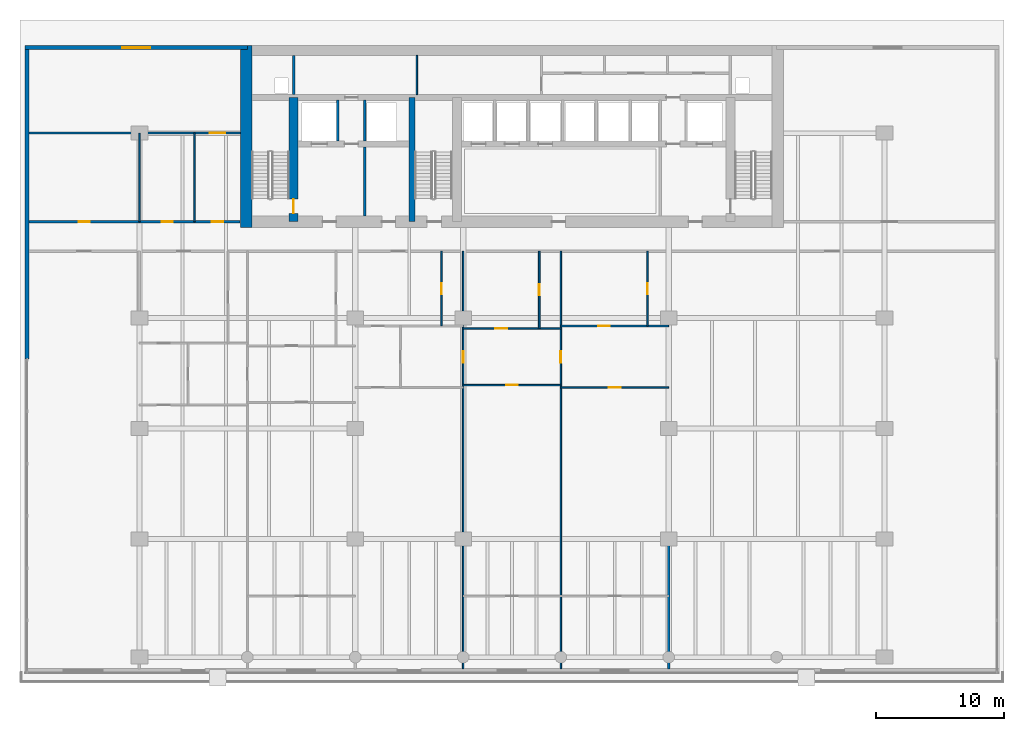
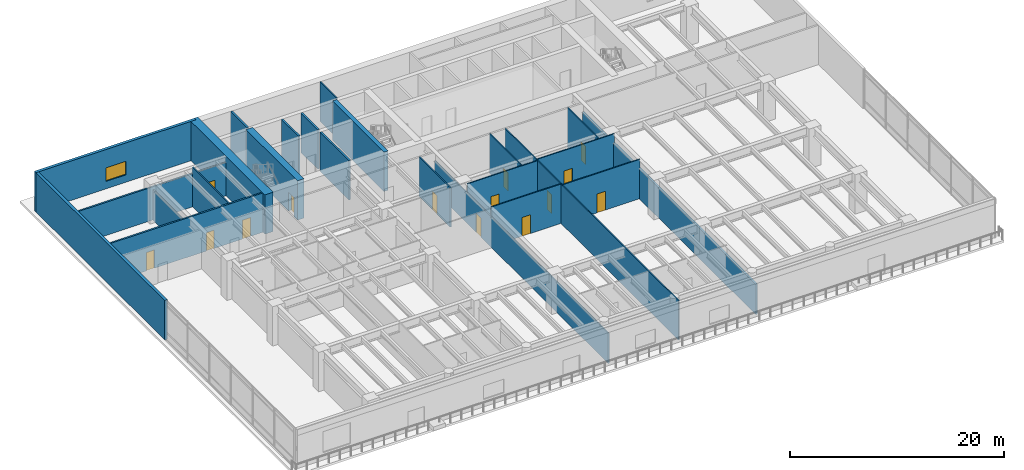
# One storey, part 8 of 14: 24 walls, 14 doors, 1 window, 15 openings.
"""IFC4 building model written with IfcOpenShell, lengths in metres."""

from ifc_helpers import new_model, si_unit, direction, frame, frame_2d, origin, place, context, subcontext, project, spatial, rectangle, extrude, material, layer, layer_set, type_object, element, fill, save


model = new_model("IFC4")

# Units and contexts
model_context = context("Model", 3, precision=1e-05, world=origin(), true_north=direction((0.0, 1.0)))
body_context = subcontext(model_context, "Body", "Model", "MODEL_VIEW")
ifc_project = project(units=[si_unit("LENGTHUNIT", "METRE"), si_unit("AREAUNIT", "SQUARE_METRE"), si_unit("VOLUMEUNIT", "CUBIC_METRE"), si_unit("PLANEANGLEUNIT", "RADIAN"), si_unit("MASSUNIT", "GRAM", prefix="KILO")], contexts=[model_context])

# Site, building, storey
site_placement = place(None, origin())
site = spatial("IfcSite", under=ifc_project, at=site_placement, CompositionType="ELEMENT")
building_placement = place(site_placement, origin())
building = spatial("IfcBuilding", under=site, at=building_placement, Name="Caelmar Bay Residences", CompositionType="ELEMENT")
storey_placement = place(building_placement, frame((0.0, 0.0, 15.0)))
storey = spatial("IfcBuildingStorey", under=building, at=storey_placement, Name="L03", CompositionType="ELEMENT", Elevation=15.0)

# Wall, opening, door
ifc_material_1 = material(Name="Concrete f'c 55 MPa (8,000 psi)", Category="concrete")
ifc_layer_1 = layer(ifc_material_1, 0.699951171875)
ifc_layer_set_1 = layer_set([ifc_layer_1], Name="Concrete f'c 55 MPa (8,000 psi)")
wall_type_1 = type_object("IfcWallType", Name="SW-COR-700", PredefinedType="SHEAR", material=ifc_layer_set_1)
wall_1_placement = place(storey_placement, frame((21.89990234375, 36.89990234375, 0.0), z_axis=(0.0, 0.0, 1.0), x_axis=(0.0, 1.0, 0.0)))
wall_1 = element("IfcWall", 1, at=wall_1_placement, inside=storey, type_object=wall_type_1, Name="L03 Core Structural Web Wall ST1E", PredefinedType="SHEAR", context=body_context, shape_type="SweptSolid", body=[
    extrude(rectangle(XDim=9.675048828125, YDim=0.699951171875, at=frame_2d((4.83740234375, 0.0))), origin(), (0.0, 0.0, 1.0), 4.5),
])
opening_1_placement = place(wall_1_placement, frame((0.64990234375, 0.0, 0.0)))
opening_1 = element("IfcOpeningElement", 2, at=opening_1_placement, cuts=wall_1, Name="Opening D-L03-108", PredefinedType="OPENING", context=body_context, shape_type="SweptSolid", body=[
    extrude(rectangle(XDim=1.10009765625, YDim=2.14990234375, at=frame_2d((0.550048828125, 1.074951171875))), frame((0.0, 0.35986328125, 0.0), z_axis=(0.0, -1.0, 0.0), x_axis=(1.0, 0.0, 0.0)), (0.0, 0.0, 1.0), 0.719970703125),
])
ifc_material_2 = material(Name="Fire-rated steel and walnut architectural door assembly", Category="steel")
ifc_layer_2 = layer(ifc_material_2, 0.050048828125)
ifc_layer_set_2 = layer_set([ifc_layer_2], Name="Fire-rated steel and walnut architectural door assembly")
door_type_1 = type_object("IfcDoorType", Name="D-STAIR-1100", OperationType="NOTDEFINED", PredefinedType="DOOR", material=ifc_layer_set_2)
door_1_placement = place(opening_1_placement, origin())
door_1 = element("IfcDoor", 3, at=door_1_placement, inside=storey, type_object=door_type_1, Name="L03 Firefighting Lobby West Door", OperationType="SINGLE_SWING_LEFT", OverallHeight=2.14990234375, OverallWidth=1.10009765625, PredefinedType="DOOR", context=body_context, shape_type="SweptSolid", body=[
    extrude(rectangle(XDim=1.10009765625, YDim=2.14990234375, at=frame_2d((0.550048828125, 1.074951171875))), frame((0.0, 0.02490234375, 0.0), z_axis=(0.0, -1.0, 0.0), x_axis=(1.0, 0.0, 0.0)), (0.0, 0.0, 1.0), 0.050048828125),
])
fill(opening_1, door_1)

# Walls
ifc_material_3 = material(Name="Concrete f'c 70 MPa (10,000 psi)", Category="concrete")
ifc_layer_3 = layer(ifc_material_3, 0.89990234375)
ifc_layer_set_3 = layer_set([ifc_layer_3], Name="Concrete f'c 70 MPa (10,000 psi)")
wall_type_2 = type_object("IfcWallType", Name="SW-COR-900", PredefinedType="SHEAR", material=ifc_layer_set_3)
wall_2_placement = place(storey_placement, frame((18.199951171875, 36.449951171875, 0.0), z_axis=(0.0, 0.0, 1.0), x_axis=(0.0, 1.0, 0.0)))
element("IfcWall", 4, at=wall_2_placement, inside=storey, type_object=wall_type_2, Name="L03 Rear Core West Shear Wall", PredefinedType="SHEAR", context=body_context, shape_type="SweptSolid", body=[
    extrude(rectangle(XDim=14.150146484375, YDim=0.89990234375, at=frame_2d((7.0751953125, 0.0))), origin(), (0.0, 0.0, 1.0), 4.5),
])
ifc_layer_4 = layer(ifc_material_3, 0.449951171875)
ifc_layer_set_4 = layer_set([ifc_layer_4], Name="Concrete f'c 70 MPa (10,000 psi)")
wall_type_3 = type_object("IfcWallType", Name="SW-WEB-450", PredefinedType="SHEAR", material=ifc_layer_set_4)
wall_3_placement = place(storey_placement, frame((31.125, 36.89990234375, 0.0), z_axis=(0.0, 0.0, 1.0), x_axis=(0.0, 1.0, 0.0)))
element("IfcWall", 5, at=wall_3_placement, inside=storey, type_object=wall_type_3, Name="L03 Core Structural Web Wall ST3W", PredefinedType="SHEAR", context=body_context, shape_type="SweptSolid", body=[
    extrude(rectangle(XDim=9.675048828125, YDim=0.449951171875, at=frame_2d((4.83740234375, 0.0))), origin(), (0.0, 0.0, 1.0), 4.5),
])

# Wall, openings, doors
ifc_material_4 = material(Name="Double-stud acoustic fire-rated gypsum partition 180 mm")
ifc_layer_5 = layer(ifc_material_4, 0.179931640625)
ifc_layer_set_5 = layer_set([ifc_layer_5], Name="Double-stud acoustic fire-rated gypsum partition 180 mm")
wall_type_4 = type_object("IfcWallType", Name="W-COR-200", PredefinedType="PARTITIONING", material=ifc_layer_set_5)
wall_4_placement = place(storey_placement, frame((1.294921875, 36.89990234375, 0.0), z_axis=(0.0, 0.0, 1.0), x_axis=(1.0, 0.0, 0.0)))
wall_4 = element("IfcWall", 6, at=wall_4_placement, inside=storey, type_object=wall_type_4, Name="L03 Partition Wall H046", PredefinedType="PARTITIONING", context=body_context, shape_type="SweptSolid", body=[
    extrude(rectangle(XDim=16.4501953125, YDim=0.179931640625, at=frame_2d((8.22509765625, 0.0))), origin(), (0.0, 0.0, 1.0), 4.5),
])
opening_2_placement = place(wall_4_placement, frame((3.87744140625, 0.0, 0.0)))
opening_2 = element("IfcOpeningElement", 7, at=opening_2_placement, cuts=wall_4, Name="Opening D-L03-148", PredefinedType="OPENING", context=body_context, shape_type="SweptSolid", body=[
    extrude(rectangle(XDim=0.85009765625, YDim=2.10009765625, at=frame_2d((0.425048828125, 1.050048828125))), frame((0.0, 0.099853515625, 0.0), z_axis=(0.0, -1.0, 0.0), x_axis=(1.0, 0.0, 0.0)), (0.0, 0.0, 1.0), 0.199951171875),
])
opening_3_placement = place(wall_4_placement, frame((10.330078125, 0.0, 0.0)))
opening_3 = element("IfcOpeningElement", 8, at=opening_3_placement, cuts=wall_4, Name="Opening D-L03-149", PredefinedType="OPENING", context=body_context, shape_type="SweptSolid", body=[
    extrude(rectangle(XDim=0.85009765625, YDim=2.10009765625, at=frame_2d((0.425048828125, 1.050048828125))), frame((0.0, 0.099853515625, 0.0), z_axis=(0.0, -1.0, 0.0), x_axis=(1.0, 0.0, 0.0)), (0.0, 0.0, 1.0), 0.199951171875),
])
opening_4_placement = place(wall_4_placement, frame((14.2275390625, 0.0, 0.0)))
opening_4 = element("IfcOpeningElement", 9, at=opening_4_placement, cuts=wall_4, Name="Opening D-L03-150", PredefinedType="OPENING", context=body_context, shape_type="SweptSolid", body=[
    extrude(rectangle(XDim=0.89990234375, YDim=2.14990234375, at=frame_2d((0.449951171875, 1.074951171875))), frame((0.0, 0.099853515625, 0.0), z_axis=(0.0, -1.0, 0.0), x_axis=(1.0, 0.0, 0.0)), (0.0, 0.0, 1.0), 0.199951171875),
])
ifc_material_5 = material(Name="Solid walnut timber interior door leaf and frame", Category="wood")
ifc_layer_6 = layer(ifc_material_5, 0.050048828125)
ifc_layer_set_6 = layer_set([ifc_layer_6], Name="Solid walnut timber interior door leaf and frame")
door_type_2 = type_object("IfcDoorType", Name="D-BATH-850", OperationType="NOTDEFINED", PredefinedType="DOOR", material=ifc_layer_set_6)
door_2_placement = place(opening_2_placement, origin())
door_2 = element("IfcDoor", 10, at=door_2_placement, inside=storey, type_object=door_type_2, Name="L03 Podium L03 Public Restroom Door", OperationType="SINGLE_SWING_LEFT", OverallHeight=2.10009765625, OverallWidth=0.85009765625, PredefinedType="DOOR", context=body_context, shape_type="SweptSolid", body=[
    extrude(rectangle(XDim=0.85009765625, YDim=2.10009765625, at=frame_2d((0.425048828125, 1.050048828125))), frame((0.0, 0.02490234375, 0.0), z_axis=(0.0, -1.0, 0.0), x_axis=(1.0, 0.0, 0.0)), (0.0, 0.0, 1.0), 0.050048828125),
])
fill(opening_2, door_2)
door_3_placement = place(opening_3_placement, origin())
door_3 = element("IfcDoor", 11, at=door_3_placement, inside=storey, type_object=door_type_2, Name="L03 Podium L03 Accessible WC Door", OperationType="SINGLE_SWING_RIGHT", OverallHeight=2.10009765625, OverallWidth=0.85009765625, PredefinedType="DOOR", context=body_context, shape_type="SweptSolid", body=[
    extrude(rectangle(XDim=0.85009765625, YDim=2.10009765625, at=frame_2d((0.425048828125, 1.050048828125))), frame((0.0, 0.02490234375, 0.0), z_axis=(0.0, -1.0, 0.0), x_axis=(1.0, 0.0, 0.0)), (0.0, 0.0, 1.0), 0.050048828125),
])
fill(opening_3, door_3)
ifc_layer_7 = layer(ifc_material_5, 0.050048828125)
ifc_layer_set_7 = layer_set([ifc_layer_7], Name="Solid walnut timber interior door leaf and frame")
door_type_3 = type_object("IfcDoorType", Name="D-ROOM-900", OperationType="NOTDEFINED", PredefinedType="DOOR", material=ifc_layer_set_7)
door_4_placement = place(opening_4_placement, origin())
door_4 = element("IfcDoor", 12, at=door_4_placement, inside=storey, type_object=door_type_3, Name="L03 Podium L03 Linen Storage Door", OperationType="SINGLE_SWING_LEFT", OverallHeight=2.14990234375, OverallWidth=0.89990234375, PredefinedType="DOOR", context=body_context, shape_type="SweptSolid", body=[
    extrude(rectangle(XDim=0.89990234375, YDim=2.14990234375, at=frame_2d((0.449951171875, 1.074951171875))), frame((0.0, 0.02490234375, 0.0), z_axis=(0.0, -1.0, 0.0), x_axis=(1.0, 0.0, 0.0)), (0.0, 0.0, 1.0), 0.050048828125),
])
fill(opening_4, door_4)

# Wall, opening, door
wall_5_placement = place(storey_placement, frame((1.294921875, 43.800048828125, 0.0), z_axis=(0.0, 0.0, 1.0), x_axis=(1.0, 0.0, 0.0)))
wall_5 = element("IfcWall", 13, at=wall_5_placement, inside=storey, type_object=wall_type_4, Name="L03 Partition Wall H048", PredefinedType="PARTITIONING", context=body_context, shape_type="SweptSolid", body=[
    extrude(rectangle(XDim=16.4599609375, YDim=0.179931640625, at=frame_2d((8.22998046875, 0.0))), origin(), (0.0, 0.0, 1.0), 3.7890625),
])
opening_5_placement = place(wall_5_placement, frame((14.08251953125, 0.0, 0.0)))
opening_5 = element("IfcOpeningElement", 14, at=opening_5_placement, cuts=wall_5, Name="Opening D-L03-152", PredefinedType="OPENING", context=body_context, shape_type="SweptSolid", body=[
    extrude(rectangle(XDim=1.199951171875, YDim=2.199951171875, at=frame_2d((0.60009765625, 1.10009765625))), frame((0.0, 0.099853515625, 0.0), z_axis=(0.0, -1.0, 0.0), x_axis=(1.0, 0.0, 0.0)), (0.0, 0.0, 1.0), 0.199951171875),
])
ifc_layer_8 = layer(ifc_material_2, 0.050048828125)
ifc_layer_set_8 = layer_set([ifc_layer_8], Name="Fire-rated steel and walnut architectural door assembly")
door_type_4 = type_object("IfcDoorType", Name="D-PLANT-1200", OperationType="NOTDEFINED", PredefinedType="DOOR", material=ifc_layer_set_8)
door_5_placement = place(opening_5_placement, origin())
door_5 = element("IfcDoor", 15, at=door_5_placement, inside=storey, type_object=door_type_4, Name="L03 Podium L03 North Plant Room Door", OperationType="SINGLE_SWING_LEFT", OverallHeight=2.199951171875, OverallWidth=1.199951171875, PredefinedType="DOOR", context=body_context, shape_type="SweptSolid", body=[
    extrude(rectangle(XDim=1.199951171875, YDim=2.199951171875, at=frame_2d((0.60009765625, 1.10009765625))), frame((0.0, 0.02490234375, 0.0), z_axis=(0.0, -1.0, 0.0), x_axis=(1.0, 0.0, 0.0)), (0.0, 0.0, 1.0), 0.050048828125),
])
fill(opening_5, door_5)

# Wall
ifc_material_6 = material(Name="Precast concrete f'c 40 MPa (6,000 psi)", Category="concrete")
ifc_layer_9 = layer(ifc_material_6, 0.300048828125)
ifc_layer_set_9 = layer_set([ifc_layer_9], Name="Precast concrete f'c 40 MPa (6,000 psi)")
wall_type_5 = type_object("IfcWallType", Name="W-EXT-300", PredefinedType="STANDARD", material=ifc_layer_set_9)
wall_6_placement = place(storey_placement, frame((1.14990234375, 26.199951171875, 0.0), z_axis=(0.0, 0.0, 1.0), x_axis=(0.0, 1.0, 0.0)))
element("IfcWall", 16, at=wall_6_placement, inside=storey, type_object=wall_type_5, Name="L03 West Rear Exterior Wall", PredefinedType="STANDARD", context=body_context, shape_type="SweptSolid", body=[
    extrude(rectangle(XDim=24.400146484375, YDim=0.300048828125, at=frame_2d((12.2001953125, 0.0))), origin(), (0.0, 0.0, 1.0), 4.5),
])

# Wall, opening, window
wall_7_placement = place(storey_placement, frame((1.0, 50.449951171875, 0.0), z_axis=(0.0, 0.0, 1.0), x_axis=(1.0, 0.0, 0.0)))
wall_7 = element("IfcWall", 17, at=wall_7_placement, inside=storey, type_object=wall_type_5, Name="L03 North-West Wing Exterior Wall", PredefinedType="STANDARD", context=body_context, shape_type="SweptSolid", body=[
    extrude(rectangle(XDim=17.300048828125, YDim=0.300048828125, at=frame_2d((8.64990234375, 0.0))), origin(), (0.0, 0.0, 1.0), 4.5),
])
opening_6_placement = place(wall_7_placement, frame((7.550048828125, 0.0, 0.85009765625)))
opening_6 = element("IfcOpeningElement", 18, at=opening_6_placement, cuts=wall_7, Name="Opening WN2", PredefinedType="OPENING", context=body_context, shape_type="SweptSolid", body=[
    extrude(rectangle(XDim=2.199951171875, YDim=1.550048828125, at=frame_2d((1.10009765625, 0.77490234375))), frame((0.0, 0.159912109375, 0.0), z_axis=(0.0, -1.0, 0.0), x_axis=(1.0, 0.0, 0.0)), (0.0, 0.0, 1.0), 0.320068359375),
])
ifc_material_7 = material(Name="Bronze aluminium frame with laminated low-E glass", Category="aluminium")
ifc_layer_10 = layer(ifc_material_7, 0.06005859375)
ifc_layer_set_10 = layer_set([ifc_layer_10], Name="Bronze aluminium frame with laminated low-E glass")
window_type = type_object("IfcWindowType", Name="WIN-BR-2200", PartitioningType="SINGLE_PANEL", PredefinedType="WINDOW", material=ifc_layer_set_10)
window_placement = place(opening_6_placement, origin())
window = element("IfcWindow", 19, at=window_placement, inside=storey, type_object=window_type, Name="L03 North-West Studio Window", OverallHeight=1.550048828125, OverallWidth=2.199951171875, PartitioningType="SINGLE_PANEL", PredefinedType="WINDOW", context=body_context, shape_type="SweptSolid", body=[
    extrude(rectangle(XDim=2.199951171875, YDim=1.550048828125, at=frame_2d((1.10009765625, 0.77490234375))), frame((0.0, 0.030029296875, 0.0), z_axis=(0.0, -1.0, 0.0), x_axis=(1.0, 0.0, 0.0)), (0.0, 0.0, 1.0), 0.06005859375),
])
fill(opening_6, window)

# Walls
ifc_material_8 = material(Name="Fire-rated masonry and gypsum shaftliner assembly 200 mm", Category="masonry")
ifc_layer_11 = layer(ifc_material_8, 0.199951171875)
ifc_layer_set_11 = layer_set([ifc_layer_11], Name="Fire-rated masonry and gypsum shaftliner assembly 200 mm")
wall_type_6 = type_object("IfcWallType", Name="W-FSAE-200", PredefinedType="PARTITIONING", material=ifc_layer_set_11)
wall_8_placement = place(storey_placement, frame((21.89990234375, 46.794921875, 0.0), z_axis=(0.0, 0.0, 1.0), x_axis=(0.0, 1.0, 0.0)))
element("IfcWall", 20, at=wall_8_placement, inside=storey, type_object=wall_type_6, Name="L03 Partition Wall V007", PredefinedType="PARTITIONING", context=body_context, shape_type="SweptSolid", body=[
    extrude(rectangle(XDim=3.06005859375, YDim=0.199951171875, at=frame_2d((1.530029296875, 0.0))), origin(), (0.0, 0.0, 1.0), 4.5),
])
wall_9_placement = place(storey_placement, frame((25.35009765625, 43.169921875, 0.0), z_axis=(0.0, 0.0, 1.0), x_axis=(0.0, 1.0, 0.0)))
element("IfcWall", 21, at=wall_9_placement, inside=storey, type_object=wall_type_6, Name="L03 Partition Wall V009", PredefinedType="PARTITIONING", context=body_context, shape_type="SweptSolid", body=[
    extrude(rectangle(XDim=3.18505859375, YDim=0.199951171875, at=frame_2d((1.592529296875, 0.0))), origin(), (0.0, 0.0, 1.0), 4.5),
])
wall_10_placement = place(storey_placement, frame((27.449951171875, 37.344970703125, 0.0), z_axis=(0.0, 0.0, 1.0), x_axis=(0.0, 1.0, 0.0)))
element("IfcWall", 22, at=wall_10_placement, inside=storey, type_object=wall_type_6, Name="L03 Partition Wall V011", PredefinedType="PARTITIONING", context=body_context, shape_type="SweptSolid", body=[
    extrude(rectangle(XDim=5.385009765625, YDim=0.199951171875, at=frame_2d((2.6923828125, 0.0))), origin(), (0.0, 0.0, 1.0), 4.5),
])
wall_11_placement = place(storey_placement, frame((27.449951171875, 43.169921875, 0.0), z_axis=(0.0, 0.0, 1.0), x_axis=(0.0, 1.0, 0.0)))
element("IfcWall", 23, at=wall_11_placement, inside=storey, type_object=wall_type_6, Name="L03 Partition Wall V012", PredefinedType="PARTITIONING", context=body_context, shape_type="SweptSolid", body=[
    extrude(rectangle(XDim=3.18505859375, YDim=0.199951171875, at=frame_2d((1.592529296875, 0.0))), origin(), (0.0, 0.0, 1.0), 4.5),
])
ifc_material_9 = material(Name="Acoustic metal-stud gypsum partition 120 mm")
ifc_layer_12 = layer(ifc_material_9, 0.1201171875)
ifc_layer_set_12 = layer_set([ifc_layer_12], Name="Acoustic metal-stud gypsum partition 120 mm")
wall_type_7 = type_object("IfcWallType", Name="W-PRT-120", PredefinedType="PARTITIONING", material=ifc_layer_set_12)
wall_12_placement = place(storey_placement, frame((9.89990234375, 36.89990234375, 0.0), z_axis=(0.0, 0.0, 1.0), x_axis=(0.0, 1.0, 0.0)))
element("IfcWall", 24, at=wall_12_placement, inside=storey, type_object=wall_type_7, Name="L03 Partition Wall V002", PredefinedType="PARTITIONING", context=body_context, shape_type="SweptSolid", body=[
    extrude(rectangle(XDim=6.900146484375, YDim=0.1201171875, at=frame_2d((3.4501953125, 0.0))), origin(), (0.0, 0.0, 1.0), 3.464111328125),
])
wall_13_placement = place(storey_placement, frame((14.199951171875, 36.89990234375, 0.0), z_axis=(0.0, 0.0, 1.0), x_axis=(0.0, 1.0, 0.0)))
element("IfcWall", 25, at=wall_13_placement, inside=storey, type_object=wall_type_7, Name="L03 Partition Wall V004", PredefinedType="PARTITIONING", context=body_context, shape_type="SweptSolid", body=[
    extrude(rectangle(XDim=6.900146484375, YDim=0.1201171875, at=frame_2d((3.4501953125, 0.0))), origin(), (0.0, 0.0, 1.0), 4.5),
])
wall_14_placement = place(storey_placement, frame((31.5, 46.794921875, 0.0), z_axis=(0.0, 0.0, 1.0), x_axis=(0.0, 1.0, 0.0)))
element("IfcWall", 26, at=wall_14_placement, inside=storey, type_object=wall_type_7, Name="L03 Partition Wall V014", PredefinedType="PARTITIONING", context=body_context, shape_type="SweptSolid", body=[
    extrude(rectangle(XDim=3.06005859375, YDim=0.1201171875, at=frame_2d((1.530029296875, 0.0))), origin(), (0.0, 0.0, 1.0), 4.5),
])

# Wall, opening, door
wall_15_placement = place(storey_placement, frame((33.416015625, 28.780029296875, 0.0), z_axis=(0.0, 0.0, 1.0), x_axis=(0.0, 1.0, 0.0)))
wall_15 = element("IfcWall", 27, at=wall_15_placement, inside=storey, type_object=wall_type_7, Name="L03 Partition Wall V015", PredefinedType="PARTITIONING", context=body_context, shape_type="SweptSolid", body=[
    extrude(rectangle(XDim=5.820068359375, YDim=0.1201171875, at=frame_2d((2.91015625, 0.0))), origin(), (0.0, 0.0, 1.0), 4.5),
])
opening_7_placement = place(wall_15_placement, frame((2.485107421875, 0.0, 0.0)))
opening_7 = element("IfcOpeningElement", 28, at=opening_7_placement, cuts=wall_15, Name="Opening D-L03-133", PredefinedType="OPENING", context=body_context, shape_type="SweptSolid", body=[
    extrude(rectangle(XDim=0.85009765625, YDim=2.10009765625, at=frame_2d((0.425048828125, 1.050048828125))), frame((0.0, 0.070068359375, 0.0), z_axis=(0.0, -1.0, 0.0), x_axis=(1.0, 0.0, 0.0)), (0.0, 0.0, 1.0), 0.14013671875),
])
door_6_placement = place(opening_7_placement, origin())
door_6 = element("IfcDoor", 29, at=door_6_placement, inside=storey, type_object=door_type_2, Name="L03 Residence 3B Guest Bathroom Door", OperationType="SINGLE_SWING_RIGHT", OverallHeight=2.10009765625, OverallWidth=0.85009765625, PredefinedType="DOOR", context=body_context, shape_type="SweptSolid", body=[
    extrude(rectangle(XDim=0.85009765625, YDim=2.10009765625, at=frame_2d((0.425048828125, 1.050048828125))), frame((0.0, 0.02490234375, 0.0), z_axis=(0.0, -1.0, 0.0), x_axis=(1.0, 0.0, 0.0)), (0.0, 0.0, 1.0), 0.050048828125),
])
fill(opening_7, door_6)

wall_16_placement = place(storey_placement, frame((35.10009765625, 2.094970703125, 0.0), z_axis=(0.0, 0.0, 1.0), x_axis=(0.0, 1.0, 0.0)))
wall_16 = element("IfcWall", 30, at=wall_16_placement, inside=storey, type_object=wall_type_7, Name="L03 Partition Wall V016", PredefinedType="PARTITIONING", context=body_context, shape_type="SweptSolid", body=[
    extrude(rectangle(XDim=32.505126953125, YDim=0.1201171875, at=frame_2d((16.25244140625, 0.0))), origin(), (0.0, 0.0, 1.0), 3.464111328125),
])
opening_8_placement = place(wall_16_placement, frame((23.8349609375, 0.0, 0.0)))
opening_8 = element("IfcOpeningElement", 31, at=opening_8_placement, cuts=wall_16, Name="Opening D-L03-137", PredefinedType="OPENING", context=body_context, shape_type="SweptSolid", body=[
    extrude(rectangle(XDim=0.89990234375, YDim=2.14990234375, at=frame_2d((0.449951171875, 1.074951171875))), frame((0.0, 0.070068359375, 0.0), z_axis=(0.0, -1.0, 0.0), x_axis=(1.0, 0.0, 0.0)), (0.0, 0.0, 1.0), 0.14013671875),
])
door_7_placement = place(opening_8_placement, origin())
door_7 = element("IfcDoor", 32, at=door_7_placement, inside=storey, type_object=door_type_3, Name="L03 Residence 3B Family Room 1 Door", OperationType="SINGLE_SWING_RIGHT", OverallHeight=2.14990234375, OverallWidth=0.89990234375, PredefinedType="DOOR", context=body_context, shape_type="SweptSolid", body=[
    extrude(rectangle(XDim=0.89990234375, YDim=2.14990234375, at=frame_2d((0.449951171875, 1.074951171875))), frame((0.0, 0.02490234375, 0.0), z_axis=(0.0, -1.0, 0.0), x_axis=(1.0, 0.0, 0.0)), (0.0, 0.0, 1.0), 0.050048828125),
])
fill(opening_8, door_7)

wall_17_placement = place(storey_placement, frame((41.02197265625, 28.580078125, 0.0), z_axis=(0.0, 0.0, 1.0), x_axis=(0.0, 1.0, 0.0)))
wall_17 = element("IfcWall", 33, at=wall_17_placement, inside=storey, type_object=wall_type_7, Name="L03 Partition Wall V019", PredefinedType="PARTITIONING", context=body_context, shape_type="SweptSolid", body=[
    extrude(rectangle(XDim=6.02001953125, YDim=0.1201171875, at=frame_2d((3.010009765625, 0.0))), origin(), (0.0, 0.0, 1.0), 4.5),
])
opening_9_placement = place(wall_17_placement, frame((2.5849609375, 0.0, 0.0)))
opening_9 = element("IfcOpeningElement", 34, at=opening_9_placement, cuts=wall_17, Name="Opening D-L03-139", PredefinedType="OPENING", context=body_context, shape_type="SweptSolid", body=[
    extrude(rectangle(XDim=0.85009765625, YDim=2.10009765625, at=frame_2d((0.425048828125, 1.050048828125))), frame((0.0, 0.070068359375, 0.0), z_axis=(0.0, -1.0, 0.0), x_axis=(1.0, 0.0, 0.0)), (0.0, 0.0, 1.0), 0.14013671875),
])
door_8_placement = place(opening_9_placement, origin())
door_8 = element("IfcDoor", 35, at=door_8_placement, inside=storey, type_object=door_type_2, Name="L03 Residence 3B En-Suite Bathroom 1 Door", OperationType="SINGLE_SWING_RIGHT", OverallHeight=2.10009765625, OverallWidth=0.85009765625, PredefinedType="DOOR", context=body_context, shape_type="SweptSolid", body=[
    extrude(rectangle(XDim=0.85009765625, YDim=2.10009765625, at=frame_2d((0.425048828125, 1.050048828125))), frame((0.0, 0.02490234375, 0.0), z_axis=(0.0, -1.0, 0.0), x_axis=(1.0, 0.0, 0.0)), (0.0, 0.0, 1.0), 0.050048828125),
])
fill(opening_9, door_8)

wall_18_placement = place(storey_placement, frame((42.699951171875, 2.094970703125, 0.0), z_axis=(0.0, 0.0, 1.0), x_axis=(0.0, 1.0, 0.0)))
wall_18 = element("IfcWall", 36, at=wall_18_placement, inside=storey, type_object=wall_type_7, Name="L03 Partition Wall V021", PredefinedType="PARTITIONING", context=body_context, shape_type="SweptSolid", body=[
    extrude(rectangle(XDim=32.505126953125, YDim=0.1201171875, at=frame_2d((16.25244140625, 0.0))), origin(), (0.0, 0.0, 1.0), 4.5),
])
opening_10_placement = place(wall_18_placement, frame((23.8349609375, 0.0, 0.0)))
opening_10 = element("IfcOpeningElement", 37, at=opening_10_placement, cuts=wall_18, Name="Opening D-L03-142", PredefinedType="OPENING", context=body_context, shape_type="SweptSolid", body=[
    extrude(rectangle(XDim=0.89990234375, YDim=2.14990234375, at=frame_2d((0.449951171875, 1.074951171875))), frame((0.0, 0.070068359375, 0.0), z_axis=(0.0, -1.0, 0.0), x_axis=(1.0, 0.0, 0.0)), (0.0, 0.0, 1.0), 0.14013671875),
])
door_9_placement = place(opening_10_placement, origin())
door_9 = element("IfcDoor", 38, at=door_9_placement, inside=storey, type_object=door_type_3, Name="L03 Residence 3B Family Room 2 Door", OperationType="SINGLE_SWING_LEFT", OverallHeight=2.14990234375, OverallWidth=0.89990234375, PredefinedType="DOOR", context=body_context, shape_type="SweptSolid", body=[
    extrude(rectangle(XDim=0.89990234375, YDim=2.14990234375, at=frame_2d((0.449951171875, 1.074951171875))), frame((0.0, 0.02490234375, 0.0), z_axis=(0.0, -1.0, 0.0), x_axis=(1.0, 0.0, 0.0)), (0.0, 0.0, 1.0), 0.050048828125),
])
fill(opening_10, door_9)

wall_19_placement = place(storey_placement, frame((49.450927734375, 28.780029296875, 0.0), z_axis=(0.0, 0.0, 1.0), x_axis=(0.0, 1.0, 0.0)))
wall_19 = element("IfcWall", 39, at=wall_19_placement, inside=storey, type_object=wall_type_7, Name="L03 Partition Wall V026", PredefinedType="PARTITIONING", context=body_context, shape_type="SweptSolid", body=[
    extrude(rectangle(XDim=5.820068359375, YDim=0.1201171875, at=frame_2d((2.91015625, 0.0))), origin(), (0.0, 0.0, 1.0), 4.5),
])
opening_11_placement = place(wall_19_placement, frame((2.485107421875, 0.0, 0.0)))
opening_11 = element("IfcOpeningElement", 40, at=opening_11_placement, cuts=wall_19, Name="Opening D-L03-144", PredefinedType="OPENING", context=body_context, shape_type="SweptSolid", body=[
    extrude(rectangle(XDim=0.85009765625, YDim=2.10009765625, at=frame_2d((0.425048828125, 1.050048828125))), frame((0.0, 0.070068359375, 0.0), z_axis=(0.0, -1.0, 0.0), x_axis=(1.0, 0.0, 0.0)), (0.0, 0.0, 1.0), 0.14013671875),
])
door_10_placement = place(opening_11_placement, origin())
door_10 = element("IfcDoor", 41, at=door_10_placement, inside=storey, type_object=door_type_2, Name="L03 Residence 3B En-Suite Bathroom 2 Door", OperationType="SINGLE_SWING_LEFT", OverallHeight=2.10009765625, OverallWidth=0.85009765625, PredefinedType="DOOR", context=body_context, shape_type="SweptSolid", body=[
    extrude(rectangle(XDim=0.85009765625, YDim=2.10009765625, at=frame_2d((0.425048828125, 1.050048828125))), frame((0.0, 0.02490234375, 0.0), z_axis=(0.0, -1.0, 0.0), x_axis=(1.0, 0.0, 0.0)), (0.0, 0.0, 1.0), 0.050048828125),
])
fill(opening_11, door_10)

wall_20_placement = place(storey_placement, frame((42.699951171875, 23.97998046875, 0.0), z_axis=(0.0, 0.0, 1.0), x_axis=(1.0, 0.0, 0.0)))
wall_20 = element("IfcWall", 42, at=wall_20_placement, inside=storey, type_object=wall_type_7, Name="L03 Partition Wall H038", PredefinedType="PARTITIONING", context=body_context, shape_type="SweptSolid", body=[
    extrude(rectangle(XDim=8.400146484375, YDim=0.1201171875, at=frame_2d((4.2001953125, 0.0))), origin(), (0.0, 0.0, 1.0), 4.5),
])
opening_12_placement = place(wall_20_placement, frame((3.75, 0.0, 0.0)))
opening_12 = element("IfcOpeningElement", 43, at=opening_12_placement, cuts=wall_20, Name="Opening D-L03-145", PredefinedType="OPENING", context=body_context, shape_type="SweptSolid", body=[
    extrude(rectangle(XDim=0.89990234375, YDim=2.14990234375, at=frame_2d((0.449951171875, 1.074951171875))), frame((0.0, 0.070068359375, 0.0), z_axis=(0.0, -1.0, 0.0), x_axis=(1.0, 0.0, 0.0)), (0.0, 0.0, 1.0), 0.14013671875),
])
door_11_placement = place(opening_12_placement, origin())
door_11 = element("IfcDoor", 44, at=door_11_placement, inside=storey, type_object=door_type_3, Name="L03 Residence 3B Penthouse Sitting Salon 2 Door", OperationType="SINGLE_SWING_RIGHT", OverallHeight=2.14990234375, OverallWidth=0.89990234375, PredefinedType="DOOR", context=body_context, shape_type="SweptSolid", body=[
    extrude(rectangle(XDim=0.89990234375, YDim=2.14990234375, at=frame_2d((0.449951171875, 1.074951171875))), frame((0.0, 0.02490234375, 0.0), z_axis=(0.0, -1.0, 0.0), x_axis=(1.0, 0.0, 0.0)), (0.0, 0.0, 1.0), 0.050048828125),
])
fill(opening_12, door_11)

wall_21_placement = place(storey_placement, frame((35.10498046875, 24.179931640625, 0.0), z_axis=(0.0, 0.0, 1.0), x_axis=(1.0, 0.0, 0.0)))
wall_21 = element("IfcWall", 45, at=wall_21_placement, inside=storey, type_object=wall_type_7, Name="L03 Partition Wall H039", PredefinedType="PARTITIONING", context=body_context, shape_type="SweptSolid", body=[
    extrude(rectangle(XDim=7.590087890625, YDim=0.1201171875, at=frame_2d((3.794921875, 0.0))), origin(), (0.0, 0.0, 1.0), 4.5),
])
opening_13_placement = place(wall_21_placement, frame((3.344970703125, 0.0, 0.0)))
opening_13 = element("IfcOpeningElement", 46, at=opening_13_placement, cuts=wall_21, Name="Opening D-L03-140", PredefinedType="OPENING", context=body_context, shape_type="SweptSolid", body=[
    extrude(rectangle(XDim=0.89990234375, YDim=2.14990234375, at=frame_2d((0.449951171875, 1.074951171875))), frame((0.0, 0.070068359375, 0.0), z_axis=(0.0, -1.0, 0.0), x_axis=(1.0, 0.0, 0.0)), (0.0, 0.0, 1.0), 0.14013671875),
])
door_12_placement = place(opening_13_placement, origin())
door_12 = element("IfcDoor", 47, at=door_12_placement, inside=storey, type_object=door_type_3, Name="L03 Residence 3B Penthouse Sitting Salon 1 Door", OperationType="SINGLE_SWING_LEFT", OverallHeight=2.14990234375, OverallWidth=0.89990234375, PredefinedType="DOOR", context=body_context, shape_type="SweptSolid", body=[
    extrude(rectangle(XDim=0.89990234375, YDim=2.14990234375, at=frame_2d((0.449951171875, 1.074951171875))), frame((0.0, 0.02490234375, 0.0), z_axis=(0.0, -1.0, 0.0), x_axis=(1.0, 0.0, 0.0)), (0.0, 0.0, 1.0), 0.050048828125),
])
fill(opening_13, door_12)

wall_22_placement = place(storey_placement, frame((35.10009765625, 28.580078125, 0.0), z_axis=(0.0, 0.0, 1.0), x_axis=(1.0, 0.0, 0.0)))
wall_22 = element("IfcWall", 48, at=wall_22_placement, inside=storey, type_object=wall_type_7, Name="L03 Partition Wall H042", PredefinedType="PARTITIONING", context=body_context, shape_type="SweptSolid", body=[
    extrude(rectangle(XDim=7.599853515625, YDim=0.1201171875, at=frame_2d((3.7998046875, 0.0))), origin(), (0.0, 0.0, 1.0), 4.5),
])
opening_14_placement = place(wall_22_placement, frame((2.510986328125, 0.0, 0.0)))
opening_14 = element("IfcOpeningElement", 49, at=opening_14_placement, cuts=wall_22, Name="Opening D-L03-138", PredefinedType="OPENING", context=body_context, shape_type="SweptSolid", body=[
    extrude(rectangle(XDim=0.89990234375, YDim=2.14990234375, at=frame_2d((0.449951171875, 1.074951171875))), frame((0.0, 0.070068359375, 0.0), z_axis=(0.0, -1.0, 0.0), x_axis=(1.0, 0.0, 0.0)), (0.0, 0.0, 1.0), 0.14013671875),
])
door_13_placement = place(opening_14_placement, origin())
door_13 = element("IfcDoor", 50, at=door_13_placement, inside=storey, type_object=door_type_3, Name="L03 Residence 3B Sitting Room 1 Door", OperationType="SINGLE_SWING_LEFT", OverallHeight=2.14990234375, OverallWidth=0.89990234375, PredefinedType="DOOR", context=body_context, shape_type="SweptSolid", body=[
    extrude(rectangle(XDim=0.89990234375, YDim=2.14990234375, at=frame_2d((0.449951171875, 1.074951171875))), frame((0.0, 0.02490234375, 0.0), z_axis=(0.0, -1.0, 0.0), x_axis=(1.0, 0.0, 0.0)), (0.0, 0.0, 1.0), 0.050048828125),
])
fill(opening_14, door_13)

wall_23_placement = place(storey_placement, frame((42.699951171875, 28.780029296875, 0.0), z_axis=(0.0, 0.0, 1.0), x_axis=(1.0, 0.0, 0.0)))
wall_23 = element("IfcWall", 51, at=wall_23_placement, inside=storey, type_object=wall_type_7, Name="L03 Partition Wall H044", PredefinedType="PARTITIONING", context=body_context, shape_type="SweptSolid", body=[
    extrude(rectangle(XDim=8.400146484375, YDim=0.1201171875, at=frame_2d((4.2001953125, 0.0))), origin(), (0.0, 0.0, 1.0), 4.5),
])
opening_15_placement = place(wall_23_placement, frame((2.925537109375, 0.0, 0.0)))
opening_15 = element("IfcOpeningElement", 52, at=opening_15_placement, cuts=wall_23, Name="Opening D-L03-143", PredefinedType="OPENING", context=body_context, shape_type="SweptSolid", body=[
    extrude(rectangle(XDim=0.89990234375, YDim=2.14990234375, at=frame_2d((0.449951171875, 1.074951171875))), frame((0.0, 0.070068359375, 0.0), z_axis=(0.0, -1.0, 0.0), x_axis=(1.0, 0.0, 0.0)), (0.0, 0.0, 1.0), 0.14013671875),
])
door_14_placement = place(opening_15_placement, origin())
door_14 = element("IfcDoor", 53, at=door_14_placement, inside=storey, type_object=door_type_3, Name="L03 Residence 3B Sitting Room 2 Door", OperationType="SINGLE_SWING_RIGHT", OverallHeight=2.14990234375, OverallWidth=0.89990234375, PredefinedType="DOOR", context=body_context, shape_type="SweptSolid", body=[
    extrude(rectangle(XDim=0.89990234375, YDim=2.14990234375, at=frame_2d((0.449951171875, 1.074951171875))), frame((0.0, 0.02490234375, 0.0), z_axis=(0.0, -1.0, 0.0), x_axis=(1.0, 0.0, 0.0)), (0.0, 0.0, 1.0), 0.050048828125),
])
fill(opening_15, door_14)

# Wall
ifc_material_10 = material(Name="Acoustic twin-stud fire-rated inter-tenancy partition 200 mm")
ifc_layer_13 = layer(ifc_material_10, 0.199951171875)
ifc_layer_set_13 = layer_set([ifc_layer_13], Name="Acoustic twin-stud fire-rated inter-tenancy partition 200 mm")
wall_type_8 = type_object("IfcWallType", Name="W-PTY-200", PredefinedType="PARTITIONING", material=ifc_layer_set_13)
wall_24_placement = place(storey_placement, frame((51.10009765625, 2.094970703125, 0.0), z_axis=(0.0, 0.0, 1.0), x_axis=(0.0, 1.0, 0.0)))
element("IfcWall", 54, at=wall_24_placement, inside=storey, type_object=wall_type_8, Name="L03 Partition Wall V030", PredefinedType="PARTITIONING", context=body_context, shape_type="SweptSolid", body=[
    extrude(rectangle(XDim=32.505126953125, YDim=0.199951171875, at=frame_2d((16.25244140625, 0.0))), origin(), (0.0, 0.0, 1.0), 3.464111328125),
])

save(model, "model.ifc")
